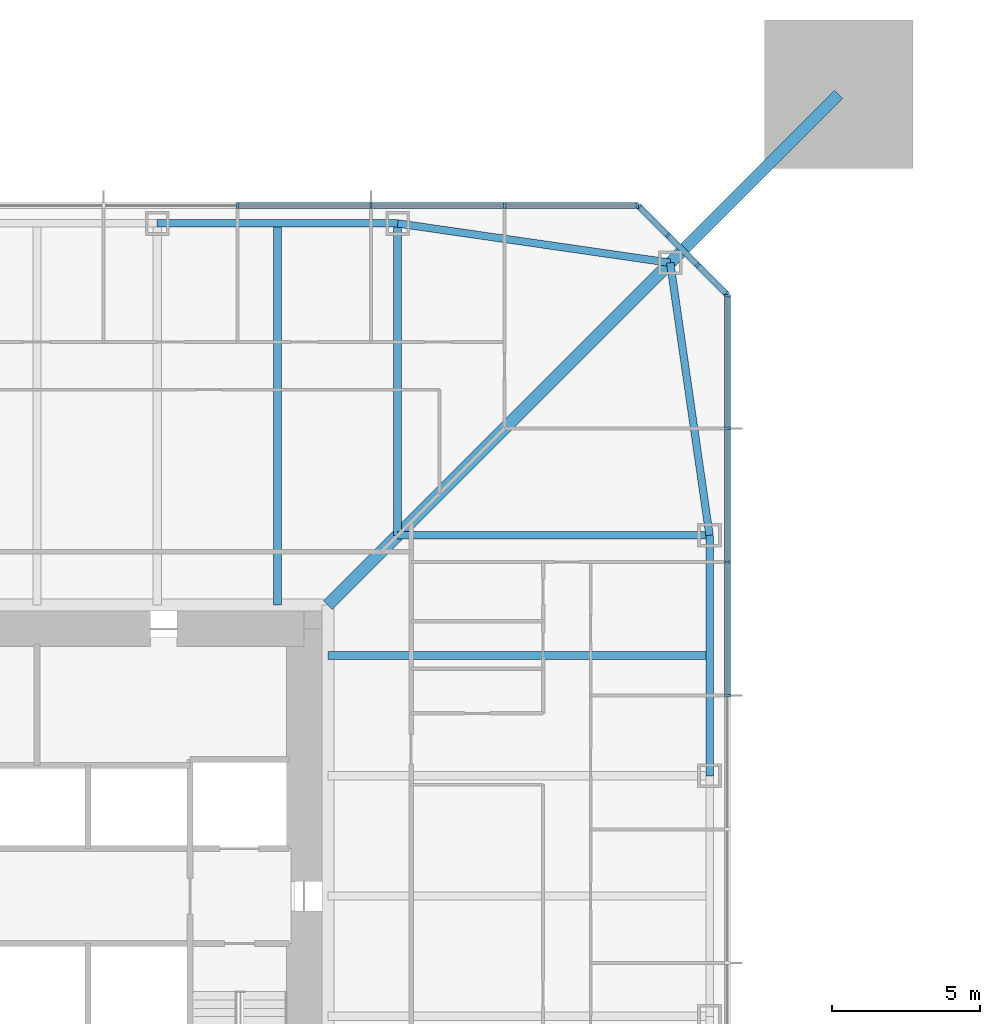
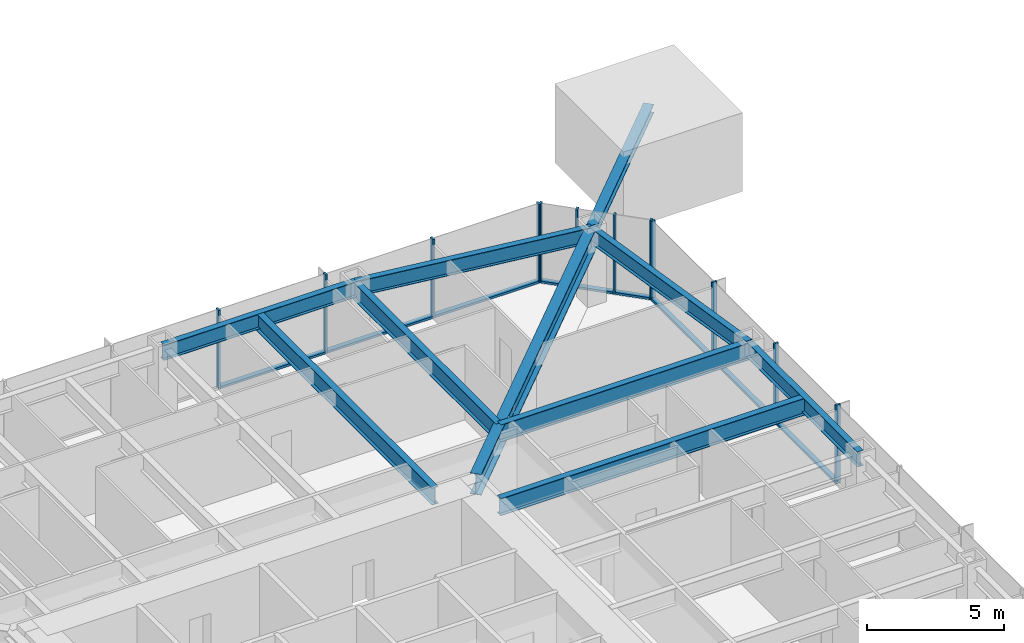
# One storey, part 7 of 26: 22 members, 9 beams, 3 elements without a shape of their own.
"""IFC4 building model written with IfcOpenShell, lengths in metres."""

from ifc_helpers import new_model, si_unit, direction, frame, origin, origin_2d, place, context, subcontext, project, spatial, rectangle, i_section, extrude, material, material_profile, profile_set, type_object, element, aggregate, save


model = new_model("IFC4")

# Units and contexts
model_context = context("Model", 3, precision=1e-05, world=origin(), true_north=direction((0.0, 1.0)))
body_context = subcontext(model_context, "Body", "Model", "MODEL_VIEW")
ifc_project = project(units=[si_unit("LENGTHUNIT", "METRE"), si_unit("AREAUNIT", "SQUARE_METRE"), si_unit("VOLUMEUNIT", "CUBIC_METRE"), si_unit("PLANEANGLEUNIT", "RADIAN"), si_unit("MASSUNIT", "GRAM", prefix="KILO")], contexts=[model_context])

# Site, building, storey
site_placement = place(None, origin())
site = spatial("IfcSite", under=ifc_project, at=site_placement, CompositionType="ELEMENT")
building_placement = place(site_placement, origin())
building = spatial("IfcBuilding", under=site, at=building_placement, Name="Iwan Alto Co-Living Towers", CompositionType="ELEMENT")
storey_placement = place(building_placement, frame((0.0, 0.0, 67.5)))
storey = spatial("IfcBuildingStorey", under=building, at=storey_placement, Name="L18", CompositionType="ELEMENT", Elevation=67.5)

# Curtain wall, members
ifc_material_1 = material(Name="Bronze aluminium unitised frame", Category="aluminium")
curtain_wall_type_1 = type_object("IfcCurtainWallType", Name="CURTAIN WALL CW-A", PredefinedType="NOTDEFINED", material=ifc_material_1)
curtain_wall_1_placement = place(storey_placement, origin())
curtain_wall_1 = element("IfcCurtainWall", 1, at=curtain_wall_1_placement, inside=storey, type_object=curtain_wall_type_1, Name="T1 curtain wall E L18", PredefinedType="NOTDEFINED")
ifc_material_2 = material(Name="Aluminium 6063-T6 bronze anodised", Category="aluminium")
ifc_material_profile_1 = material_profile(ifc_material_2, rectangle(XDim=0.199951171875, YDim=0.080078125, at=origin_2d()), Name="AL 80X200")
ifc_profile_set_1 = profile_set([ifc_material_profile_1], Name="Aluminium 6063-T6 bronze anodised")
member_type_1 = type_object("IfcMemberType", Name="CW-A MULLION 80X200", PredefinedType="MULLION", material=ifc_profile_set_1)
member_1_placement = place(storey_placement, frame((23.25, 6.75, 0.0), z_axis=(0.0, 0.0, 1.0), x_axis=(-1.0, 0.0, 0.0)))
member_1 = element("IfcMember", 2, at=member_1_placement, type_object=member_type_1, Name="CW-A mullion 7", PredefinedType="MULLION", context=body_context, shape_type="SweptSolid", body=[
    extrude(rectangle(XDim=0.199951171875, YDim=0.080078125, at=origin_2d()), origin(), (0.0, 0.0, 1.0), 3.5),
])
member_2_placement = place(storey_placement, frame((23.25, 11.25, 0.0), z_axis=(0.0, 0.0, 1.0), x_axis=(-1.0, 0.0, 0.0)))
member_2 = element("IfcMember", 3, at=member_2_placement, type_object=member_type_1, Name="CW-A mullion 8", PredefinedType="MULLION", context=body_context, shape_type="SweptSolid", body=[
    extrude(rectangle(XDim=0.199951171875, YDim=0.080078125, at=origin_2d()), origin(), (0.0, 0.0, 1.0), 3.5),
])
member_3_placement = place(storey_placement, frame((23.25, 15.75, 0.0), z_axis=(0.0, 0.0, 1.0), x_axis=(-1.0, 0.0, 0.0)))
member_3 = element("IfcMember", 4, at=member_3_placement, type_object=member_type_1, Name="CW-A mullion 9", PredefinedType="MULLION", context=body_context, shape_type="SweptSolid", body=[
    extrude(rectangle(XDim=0.199951171875, YDim=0.080078125, at=origin_2d()), origin(), (0.0, 0.0, 1.0), 3.5),
])
member_4_placement = place(storey_placement, frame((23.25, 20.2099609375, 0.0), z_axis=(0.0, 0.0, 1.0), x_axis=(-1.0, 0.0, 0.0)))
member_4 = element("IfcMember", 5, at=member_4_placement, type_object=member_type_1, Name="CW-A mullion 10", PredefinedType="MULLION", context=body_context, shape_type="SweptSolid", body=[
    extrude(rectangle(XDim=0.199951171875, YDim=0.080078125, at=origin_2d()), origin(), (0.0, 0.0, 1.0), 3.5),
])

curtain_wall_2_placement = place(storey_placement, origin())
curtain_wall_2 = element("IfcCurtainWall", 6, at=curtain_wall_2_placement, inside=storey, type_object=curtain_wall_type_1, Name="T1 curtain wall N L18", PredefinedType="NOTDEFINED")
member_5_placement = place(storey_placement, frame((20.2099609375, 23.25, 0.0), z_axis=(0.0, 0.0, 1.0), x_axis=(0.0, -1.0, 0.0)))
member_5 = element("IfcMember", 7, at=member_5_placement, type_object=member_type_1, Name="CW-A mullion 1", PredefinedType="MULLION", context=body_context, shape_type="SweptSolid", body=[
    extrude(rectangle(XDim=0.199951171875, YDim=0.080078125, at=origin_2d()), origin(), (0.0, 0.0, 1.0), 3.5),
])
member_6_placement = place(storey_placement, frame((15.75, 23.25, 0.0), z_axis=(0.0, 0.0, 1.0), x_axis=(0.0, -1.0, 0.0)))
member_6 = element("IfcMember", 8, at=member_6_placement, type_object=member_type_1, Name="CW-A mullion 2", PredefinedType="MULLION", context=body_context, shape_type="SweptSolid", body=[
    extrude(rectangle(XDim=0.199951171875, YDim=0.080078125, at=origin_2d()), origin(), (0.0, 0.0, 1.0), 3.5),
])
member_7_placement = place(storey_placement, frame((11.25, 23.25, 0.0), z_axis=(0.0, 0.0, 1.0), x_axis=(0.0, -1.0, 0.0)))
member_7 = element("IfcMember", 9, at=member_7_placement, type_object=member_type_1, Name="CW-A mullion 3", PredefinedType="MULLION", context=body_context, shape_type="SweptSolid", body=[
    extrude(rectangle(XDim=0.199951171875, YDim=0.080078125, at=origin_2d()), origin(), (0.0, 0.0, 1.0), 3.5),
])
member_8_placement = place(storey_placement, frame((6.75, 23.25, 0.0), z_axis=(0.0, 0.0, 1.0), x_axis=(0.0, -1.0, 0.0)))
member_8 = element("IfcMember", 10, at=member_8_placement, type_object=member_type_1, Name="CW-A mullion 4", PredefinedType="MULLION", context=body_context, shape_type="SweptSolid", body=[
    extrude(rectangle(XDim=0.199951171875, YDim=0.080078125, at=origin_2d()), origin(), (0.0, 0.0, 1.0), 3.5),
])

# Member
ifc_material_3 = material(Name="Aluminium 6063-T6 bronze anodised", Category="aluminium")
ifc_material_profile_2 = material_profile(ifc_material_3, rectangle(XDim=0.199951171875, YDim=0.10009765625, at=origin_2d()), Name="AL 200X100")
ifc_profile_set_2 = profile_set([ifc_material_profile_2], Name="Aluminium 6063-T6 bronze anodised")
member_type_2 = type_object("IfcMemberType", Name="CW-A TRANSOM 200X100", PredefinedType="USERDEFINED", material=ifc_profile_set_2)
member_9_placement = place(storey_placement, frame((23.25, 6.7900390625, 0.050048828125), z_axis=(0.0, 1.0, 0.0), x_axis=(-1.0, 0.0, 0.0)))
member_9 = element("IfcMember", 11, at=member_9_placement, type_object=member_type_2, Name="CW-A transom 7.1", ObjectType="TRANSOM", PredefinedType="USERDEFINED", context=body_context, shape_type="SweptSolid", body=[
    extrude(rectangle(XDim=0.199951171875, YDim=0.10009765625, at=origin_2d()), origin(), (0.0, 0.0, 1.0), 4.419921875),
])

member_10_placement = place(storey_placement, frame((23.25, 11.2900390625, 0.050048828125), z_axis=(0.0, 1.0, 0.0), x_axis=(-1.0, 0.0, 0.0)))
member_10 = element("IfcMember", 12, at=member_10_placement, type_object=member_type_2, Name="CW-A transom 8.1", ObjectType="TRANSOM", PredefinedType="USERDEFINED", context=body_context, shape_type="SweptSolid", body=[
    extrude(rectangle(XDim=0.199951171875, YDim=0.10009765625, at=origin_2d()), origin(), (0.0, 0.0, 1.0), 4.419921875),
])

member_11_placement = place(storey_placement, frame((23.25, 15.7900390625, 0.050048828125), z_axis=(0.0, 1.0, 0.0), x_axis=(-1.0, 0.0, 0.0)))
member_11 = element("IfcMember", 13, at=member_11_placement, type_object=member_type_2, Name="CW-A transom 9.1", ObjectType="TRANSOM", PredefinedType="USERDEFINED", context=body_context, shape_type="SweptSolid", body=[
    extrude(rectangle(XDim=0.199951171875, YDim=0.10009765625, at=origin_2d()), origin(), (0.0, 0.0, 1.0), 4.3798828125),
])

aggregate(curtain_wall_1, [member_1, member_2, member_3, member_4, member_9, member_10, member_11])

member_12_placement = place(storey_placement, frame((20.169921875, 23.25, 0.050048828125), z_axis=(-1.0, 0.0, 0.0), x_axis=(0.0, -1.0, 0.0)))
member_12 = element("IfcMember", 14, at=member_12_placement, type_object=member_type_2, Name="CW-A transom 1.1", ObjectType="TRANSOM", PredefinedType="USERDEFINED", context=body_context, shape_type="SweptSolid", body=[
    extrude(rectangle(XDim=0.199951171875, YDim=0.10009765625, at=origin_2d()), origin(), (0.0, 0.0, 1.0), 4.3798828125),
])

member_13_placement = place(storey_placement, frame((15.7099609375, 23.25, 0.050048828125), z_axis=(-1.0, 0.0, 0.0), x_axis=(0.0, -1.0, 0.0)))
member_13 = element("IfcMember", 15, at=member_13_placement, type_object=member_type_2, Name="CW-A transom 2.1", ObjectType="TRANSOM", PredefinedType="USERDEFINED", context=body_context, shape_type="SweptSolid", body=[
    extrude(rectangle(XDim=0.199951171875, YDim=0.10009765625, at=origin_2d()), origin(), (0.0, 0.0, 1.0), 4.419921875),
])

member_14_placement = place(storey_placement, frame((11.2099609375, 23.25, 0.050048828125), z_axis=(-1.0, 0.0, 0.0), x_axis=(0.0, -1.0, 0.0)))
member_14 = element("IfcMember", 16, at=member_14_placement, type_object=member_type_2, Name="CW-A transom 3.1", ObjectType="TRANSOM", PredefinedType="USERDEFINED", context=body_context, shape_type="SweptSolid", body=[
    extrude(rectangle(XDim=0.199951171875, YDim=0.10009765625, at=origin_2d()), origin(), (0.0, 0.0, 1.0), 4.419921875),
])

aggregate(curtain_wall_2, [member_5, member_6, member_7, member_8, member_12, member_13, member_14])

# Curtain wall, members
ifc_material_4 = material(Name="Bronze aluminium unitised frame", Category="aluminium")
curtain_wall_type_2 = type_object("IfcCurtainWallType", Name="CURTAIN WALL CW-B", PredefinedType="NOTDEFINED", material=ifc_material_4)
curtain_wall_3_placement = place(storey_placement, origin())
curtain_wall_3 = element("IfcCurtainWall", 17, at=curtain_wall_3_placement, inside=storey, type_object=curtain_wall_type_2, Name="T1 chamfer curtain wall NE L18", PredefinedType="NOTDEFINED")
ifc_material_5 = material(Name="Aluminium 6063-T6 bronze anodised", Category="aluminium")
ifc_material_profile_3 = material_profile(ifc_material_5, rectangle(XDim=0.199951171875, YDim=0.080078125, at=origin_2d()), Name="AL 80X200")
ifc_profile_set_3 = profile_set([ifc_material_profile_3], Name="Aluminium 6063-T6 bronze anodised")
member_type_3 = type_object("IfcMemberType", Name="CW-B MULLION 80X200", PredefinedType="MULLION", material=ifc_profile_set_3)
member_15_placement = place(storey_placement, frame((23.2216796875, 20.2783203125, 0.0), z_axis=(0.0, 0.0, 1.0), x_axis=(-0.707106781187, -0.707106781187, 0.0)))
member_15 = element("IfcMember", 18, at=member_15_placement, type_object=member_type_3, Name="CW-B mullion 1", PredefinedType="MULLION", context=body_context, shape_type="SweptSolid", body=[
    extrude(rectangle(XDim=0.199951171875, YDim=0.080078125, at=origin_2d()), origin(), (0.0, 0.0, 1.0), 3.5),
])
member_16_placement = place(storey_placement, frame((22.25, 21.25, 0.0), z_axis=(0.0, 0.0, 1.0), x_axis=(-0.707106781187, -0.707106781187, 0.0)))
member_16 = element("IfcMember", 19, at=member_16_placement, type_object=member_type_3, Name="CW-B mullion 2", PredefinedType="MULLION", context=body_context, shape_type="SweptSolid", body=[
    extrude(rectangle(XDim=0.199951171875, YDim=0.080078125, at=origin_2d()), origin(), (0.0, 0.0, 1.0), 3.5),
])
member_17_placement = place(storey_placement, frame((21.25, 22.25, 0.0), z_axis=(0.0, 0.0, 1.0), x_axis=(-0.707106781187, -0.707106781187, 0.0)))
member_17 = element("IfcMember", 20, at=member_17_placement, type_object=member_type_3, Name="CW-B mullion 3", PredefinedType="MULLION", context=body_context, shape_type="SweptSolid", body=[
    extrude(rectangle(XDim=0.199951171875, YDim=0.080078125, at=origin_2d()), origin(), (0.0, 0.0, 1.0), 3.5),
])
member_18_placement = place(storey_placement, frame((20.2783203125, 23.2216796875, 0.0), z_axis=(0.0, 0.0, 1.0), x_axis=(-0.707106781187, -0.707106781187, 0.0)))
member_18 = element("IfcMember", 21, at=member_18_placement, type_object=member_type_3, Name="CW-B mullion 4", PredefinedType="MULLION", context=body_context, shape_type="SweptSolid", body=[
    extrude(rectangle(XDim=0.199951171875, YDim=0.080078125, at=origin_2d()), origin(), (0.0, 0.0, 1.0), 3.5),
])
ifc_material_6 = material(Name="Aluminium 6063-T6 bronze anodised", Category="aluminium")
ifc_material_profile_4 = material_profile(ifc_material_6, rectangle(XDim=0.199951171875, YDim=0.10009765625, at=origin_2d()), Name="AL 200X100")
ifc_profile_set_4 = profile_set([ifc_material_profile_4], Name="Aluminium 6063-T6 bronze anodised")
member_type_4 = type_object("IfcMemberType", Name="CW-B TRANSOM 200X100", PredefinedType="USERDEFINED", material=ifc_profile_set_4)
member_19_placement = place(storey_placement, frame((23.193359375, 20.306640625, 0.050048828125), z_axis=(-0.707106781187, 0.707106781187, 0.0), x_axis=(-0.707106781187, -0.707106781187, 0.0)))
member_19 = element("IfcMember", 22, at=member_19_placement, type_object=member_type_4, Name="CW-B transom 1.1", ObjectType="TRANSOM", PredefinedType="USERDEFINED", context=body_context, shape_type="SweptSolid", body=[
    extrude(rectangle(XDim=0.199951171875, YDim=0.10009765625, at=origin_2d()), origin(), (0.0, 0.0, 1.0), 1.2939453125),
])
member_20_placement = place(storey_placement, frame((22.2216796875, 21.2783203125, 0.050048828125), z_axis=(-0.707106781187, 0.707106781187, 0.0), x_axis=(-0.707106781187, -0.707106781187, 0.0)))
member_20 = element("IfcMember", 23, at=member_20_placement, type_object=member_type_4, Name="CW-B transom 2.1", ObjectType="TRANSOM", PredefinedType="USERDEFINED", context=body_context, shape_type="SweptSolid", body=[
    extrude(rectangle(XDim=0.199951171875, YDim=0.10009765625, at=origin_2d()), origin(), (0.0, 0.0, 1.0), 1.334228515625),
])
member_21_placement = place(storey_placement, frame((21.2216796875, 22.2783203125, 0.050048828125), z_axis=(-0.707106781187, 0.707106781187, 0.0), x_axis=(-0.707106781187, -0.707106781187, 0.0)))
member_21 = element("IfcMember", 24, at=member_21_placement, type_object=member_type_4, Name="CW-B transom 3.1", ObjectType="TRANSOM", PredefinedType="USERDEFINED", context=body_context, shape_type="SweptSolid", body=[
    extrude(rectangle(XDim=0.199951171875, YDim=0.10009765625, at=origin_2d()), origin(), (0.0, 0.0, 1.0), 1.2939453125),
])
aggregate(curtain_wall_3, [member_15, member_16, member_17, member_18, member_19, member_20, member_21])

# Beams
ifc_material_7 = material(Name="Steel ASTM A992 Gr 50", Category="steel")
ifc_material_profile_5 = material_profile(ifc_material_7, i_section(OverallWidth=0.419189453125, OverallDepth=0.927001953125, WebThickness=0.019287109375, FlangeThickness=0.031982421875, at=origin_2d()), Name="W36X231")
ifc_profile_set_5 = profile_set([ifc_material_profile_5], Name="Steel ASTM A992 Gr 50")
beam_type_1 = type_object("IfcBeamType", Name="T1 CORNER GIRDER W36X231", PredefinedType="BEAM", material=ifc_profile_set_5)
beam_1_placement = place(storey_placement, frame((21.32568359375, 21.32568359375, 2.806396484375), z_axis=(-0.707106781187, -0.707106781187, 0.0), x_axis=(0.707106781187, -0.707106781187, 0.0)))
element("IfcBeam", 25, at=beam_1_placement, inside=storey, type_object=beam_type_1, Name="T1 corner girder CNE L19", PredefinedType="BEAM", context=body_context, shape_type="SweptSolid", body=[
    extrude(i_section(OverallWidth=0.419189453125, OverallDepth=0.927001953125, WebThickness=0.019287109375, FlangeThickness=0.031982421875, at=origin_2d()), origin(), (0.0, 0.0, 1.0), 16.30078125),
])
ifc_material_8 = material(Name="Steel ASTM A992 Gr 50", Category="steel")
ifc_material_profile_6 = material_profile(ifc_material_8, i_section(OverallWidth=0.25390625, OverallDepth=0.683349609375, WebThickness=0.012451171875, FlangeThickness=0.018798828125, at=origin_2d()), Name="W27X94")
ifc_profile_set_6 = profile_set([ifc_material_profile_6], Name="Steel ASTM A992 Gr 50")
beam_type_2 = type_object("IfcBeamType", Name="T1 EDGE BEAM W27X94", PredefinedType="BEAM", material=ifc_profile_set_6)
beam_2_placement = place(storey_placement, frame((22.64990234375, 4.050048828125, 2.928466796875), z_axis=(0.0, 1.0, 0.0), x_axis=(-1.0, 0.0, 0.0)))
element("IfcBeam", 26, at=beam_2_placement, inside=storey, type_object=beam_type_2, Name="T1 edge beam E3 L19", PredefinedType="BEAM", context=body_context, shape_type="SweptSolid", body=[
    extrude(i_section(OverallWidth=0.25390625, OverallDepth=0.683349609375, WebThickness=0.012451171875, FlangeThickness=0.018798828125, at=origin_2d()), origin(), (0.0, 0.0, 1.0), 8.099853515625),
])
for number, where, z_axis, x_axis, name in (
    (27, (22.64990234375, 12.14990234375, 2.928466796875), (-0.142836940589, 0.989746234347, 0.0), (-0.989746234347, -0.142836940589, 0.0), "T1 edge beam E4 L19"),
    (28, (21.32568359375, 21.32568359375, 2.928466796875), (-0.989746234347, 0.142836940589, 0.0), (-0.142836940589, -0.989746234347, 0.0), "T1 edge beam CNE L19"),
):
    element("IfcBeam", number, at=place(storey_placement, frame(where, z_axis=z_axis, x_axis=x_axis)), inside=storey, type_object=beam_type_2, Name=name, PredefinedType="BEAM", context=body_context, shape_type="SweptSolid", body=[
        extrude(i_section(OverallWidth=0.25390625, OverallDepth=0.683349609375, WebThickness=0.012451171875, FlangeThickness=0.018798828125, at=origin_2d()), origin(), (0.0, 0.0, 1.0), 9.270751953125),
    ])
beam_3_placement = place(storey_placement, frame((12.14990234375, 22.64990234375, 2.928466796875), z_axis=(-1.0, 0.0, 0.0), x_axis=(0.0, -1.0, 0.0)))
element("IfcBeam", 29, at=beam_3_placement, inside=storey, type_object=beam_type_2, Name="T1 edge beam N1 L19", PredefinedType="BEAM", context=body_context, shape_type="SweptSolid", body=[
    extrude(i_section(OverallWidth=0.25390625, OverallDepth=0.683349609375, WebThickness=0.012451171875, FlangeThickness=0.018798828125, at=origin_2d()), origin(), (0.0, 0.0, 1.0), 8.099853515625),
])

# Member
ifc_material_9 = material(Name="Steel ASTM A992 Gr 50", Category="steel")
ifc_material_profile_7 = material_profile(ifc_material_9, i_section(OverallWidth=0.393798828125, OverallDepth=0.3759765625, WebThickness=0.017333984375, FlangeThickness=0.027587890625, at=origin_2d()), Name="W14X145")
ifc_profile_set_7 = profile_set([ifc_material_profile_7], Name="Steel ASTM A992 Gr 50")
member_type_5 = type_object("IfcMemberType", Name="T1 MEGA COLUMN FLOOR TIE W14X145", PredefinedType="STRUT", material=ifc_profile_set_7)
member_22_placement = place(storey_placement, frame((27.0, 27.0, 3.08203125), z_axis=(-0.707106781187, -0.707106781187, 0.0), x_axis=(0.707106781187, -0.707106781187, 0.0)))
element("IfcMember", 30, at=member_22_placement, inside=storey, type_object=member_type_5, Name="T1 mega column floor tie NE L19", PredefinedType="STRUT", context=body_context, shape_type="SweptSolid", body=[
    extrude(i_section(OverallWidth=0.393798828125, OverallDepth=0.3759765625, WebThickness=0.017333984375, FlangeThickness=0.027587890625, at=origin_2d()), origin(), (0.0, 0.0, 1.0), 8.024658203125),
])

# Beams
ifc_material_10 = material(Name="Steel ASTM A992 Gr 50", Category="steel")
ifc_material_profile_8 = material_profile(ifc_material_10, i_section(OverallWidth=0.2666015625, OverallDepth=0.761962890625, WebThickness=0.014404296875, FlangeThickness=0.021484375, at=origin_2d()), Name="W30X116")
ifc_profile_set_8 = profile_set([ifc_material_profile_8], Name="Steel ASTM A992 Gr 50")
beam_type_3 = type_object("IfcBeamType", Name="T1 RADIAL BEAM W30X116", PredefinedType="BEAM", material=ifc_profile_set_8)
for number, where, z_axis, x_axis, name in (
    (31, (22.64990234375, 12.14990234375, 2.888916015625), (-1.0, 0.0, 0.0), (0.0, -1.0, 0.0), "T1 radial beam E4 L19"),
    (32, (12.14990234375, 22.64990234375, 2.888916015625), (0.0, -1.0, 0.0), (1.0, 0.0, 0.0), "T1 radial beam N1 L19"),
):
    element("IfcBeam", number, at=place(storey_placement, frame(where, z_axis=z_axis, x_axis=x_axis)), inside=storey, type_object=beam_type_3, Name=name, PredefinedType="BEAM", context=body_context, shape_type="SweptSolid", body=[
        extrude(i_section(OverallWidth=0.2666015625, OverallDepth=0.761962890625, WebThickness=0.014404296875, FlangeThickness=0.021484375, at=origin_2d()), origin(), (0.0, 0.0, 1.0), 10.5),
    ])
ifc_material_11 = material(Name="Steel ASTM A992 Gr 50", Category="steel")
ifc_material_profile_9 = material_profile(ifc_material_11, i_section(OverallWidth=0.2666015625, OverallDepth=0.761962890625, WebThickness=0.014404296875, FlangeThickness=0.021484375, at=origin_2d()), Name="W30X116")
ifc_profile_set_9 = profile_set([ifc_material_profile_9], Name="Steel ASTM A992 Gr 50")
beam_type_4 = type_object("IfcBeamType", Name="T1 SECONDARY BEAM W30X116", PredefinedType="JOIST", material=ifc_profile_set_9)
for number, where, z_axis, x_axis, name in (
    (33, (22.64990234375, 8.10009765625, 2.888916015625), (-1.0, 0.0, 0.0), (0.0, -1.0, 0.0), "T1 secondary beam E3 L19"),
    (34, (8.10009765625, 22.64990234375, 2.888916015625), (0.0, -1.0, 0.0), (1.0, 0.0, 0.0), "T1 secondary beam N1 L19"),
):
    element("IfcBeam", number, at=place(storey_placement, frame(where, z_axis=z_axis, x_axis=x_axis)), inside=storey, type_object=beam_type_4, Name=name, PredefinedType="JOIST", context=body_context, shape_type="SweptSolid", body=[
        extrude(i_section(OverallWidth=0.2666015625, OverallDepth=0.761962890625, WebThickness=0.014404296875, FlangeThickness=0.021484375, at=origin_2d()), origin(), (0.0, 0.0, 1.0), 12.8505859375),
    ])

save(model, "model.ifc")
